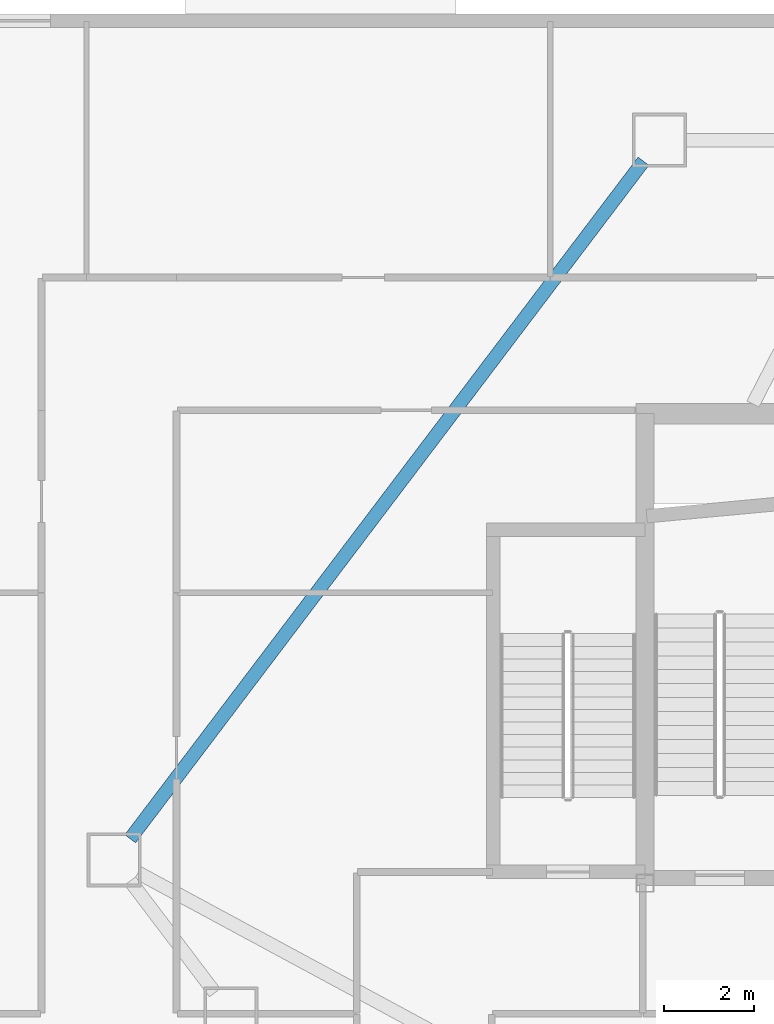
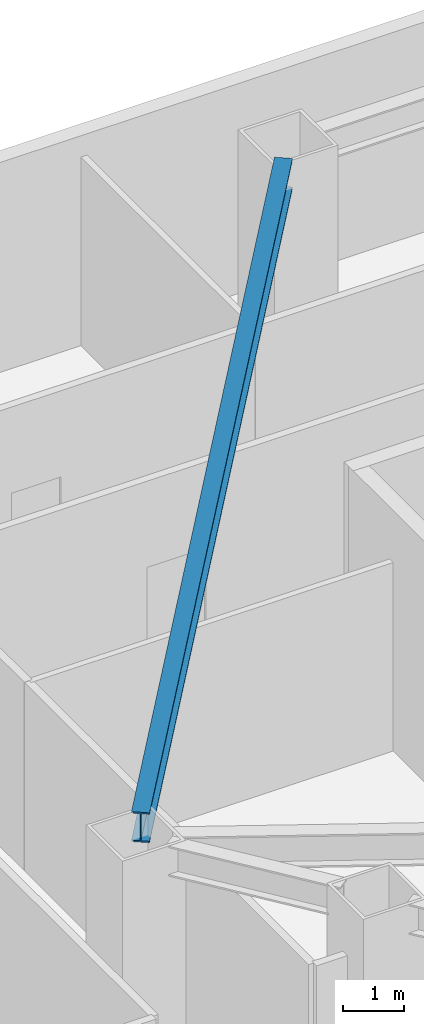
# One storey, part 11 of 31: 1 beam.
"""IFC4 building model written with IfcOpenShell, lengths in metres."""

from ifc_helpers import new_model, si_unit, direction, frame, origin, origin_2d, place, context, subcontext, project, spatial, i_section, extrude, material, material_profile, profile_set, type_object, element, save


model = new_model("IFC4")

# Units and contexts
model_context = context("Model", 3, precision=1e-05, world=origin(), true_north=direction((0.0, 1.0)))
body_context = subcontext(model_context, "Body", "Model", "MODEL_VIEW")
ifc_project = project(units=[si_unit("LENGTHUNIT", "METRE"), si_unit("AREAUNIT", "SQUARE_METRE"), si_unit("VOLUMEUNIT", "CUBIC_METRE"), si_unit("PLANEANGLEUNIT", "RADIAN"), si_unit("MASSUNIT", "GRAM", prefix="KILO")], contexts=[model_context])

# Site, building, storey
site_placement = place(None, origin())
site = spatial("IfcSite", under=ifc_project, at=site_placement, CompositionType="ELEMENT")
building_placement = place(site_placement, origin())
building = spatial("IfcBuilding", under=site, at=building_placement, Name="Zarrinselat Tower", CompositionType="ELEMENT")
storey_placement = place(building_placement, origin())
storey = spatial("IfcBuildingStorey", under=building, at=storey_placement, Name="L00", CompositionType="ELEMENT", Elevation=0.0)

# Beam
ifc_material = material(Name="Steel S355J2", Category="steel")
ifc_material_profile = material_profile(ifc_material, i_section(OverallWidth=0.300048828125, OverallDepth=0.60009765625, WebThickness=0.015380859375, FlangeThickness=0.030029296875, at=origin_2d()), Name="HEB 600")
ifc_profile_set = profile_set([ifc_material_profile], Name="Steel S355J2")
beam_type = type_object("IfcBeamType", Name="BM-HEB600", PredefinedType="BEAM", material=ifc_profile_set)
beam_placement = place(storey_placement, frame((17.170654296875, 34.03662109375, 4.52001953125), z_axis=(0.603848722447, 0.797098940157, 0.0), x_axis=(-0.797098940157, 0.603848722447, 0.0)))
element("IfcBeam", 1, at=beam_placement, inside=storey, type_object=beam_type, Name="L00 Perimeter Spandrel Girder SP05", PredefinedType="BEAM", context=body_context, shape_type="SweptSolid", body=[
    extrude(i_section(OverallWidth=0.300048828125, OverallDepth=0.60009765625, WebThickness=0.015380859375, FlangeThickness=0.030029296875, at=origin_2d()), origin(), (0.0, 0.0, 1.0), 18.874267578125),
])

save(model, "model.ifc")
